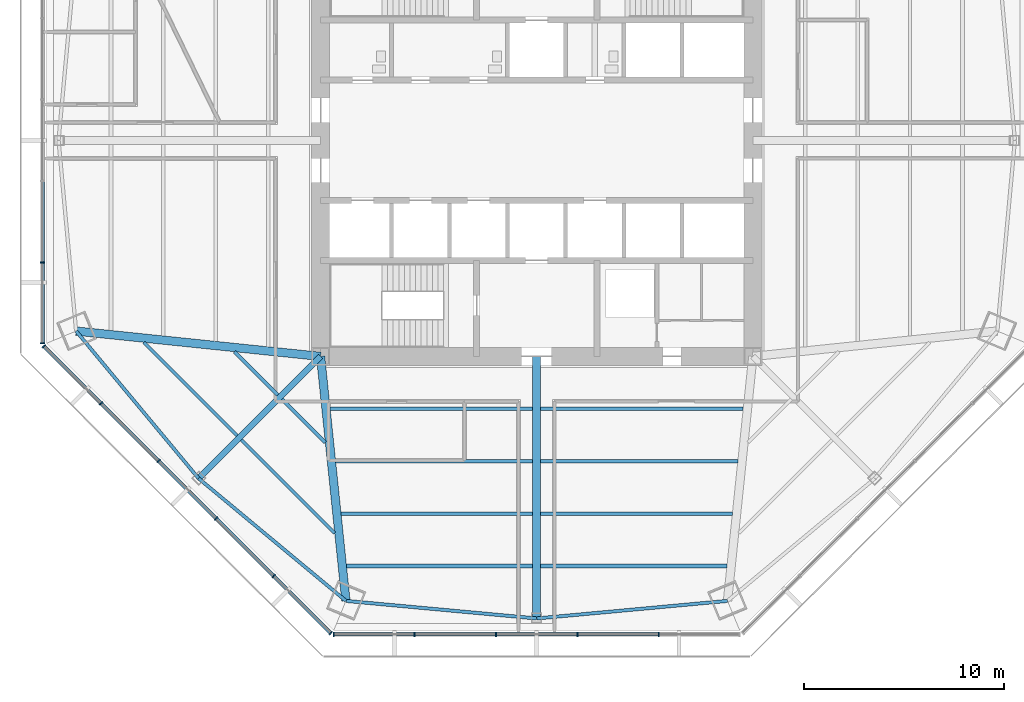
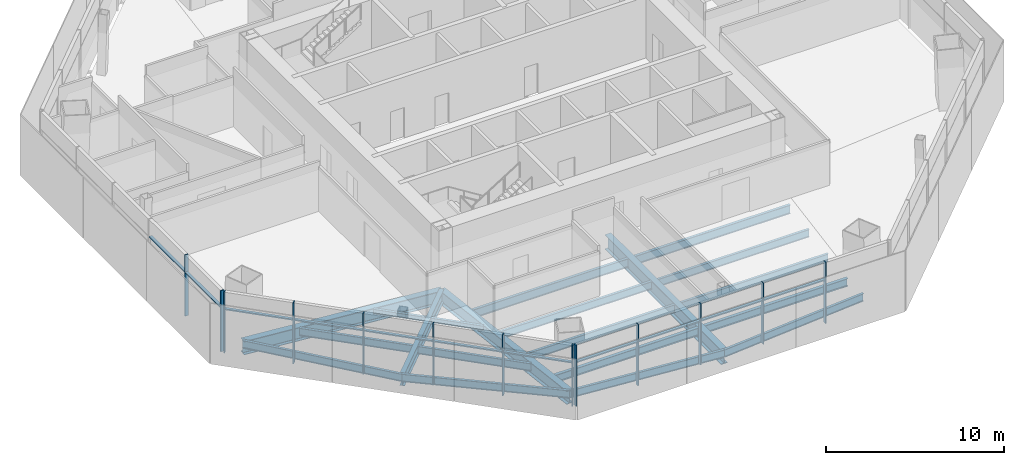
# One storey, part 2 of 14: 24 members, 20 beams, 3 elements without a shape of their own.
"""IFC4 building model written with IfcOpenShell, lengths in metres."""

from ifc_helpers import new_model, si_unit, direction, frame, origin, origin_2d, place, context, subcontext, project, spatial, rectangle, i_section, extrude, source, transform, mapped, material, material_profile, profile_set, type_object, type_shapes, element, aggregate, save


model = new_model("IFC4")

# Units and contexts
model_context = context("Model", 3, precision=1e-05, world=origin(), true_north=direction((0.0, 1.0)))
body_context = subcontext(model_context, "Body", "Model", "MODEL_VIEW")
ifc_project = project(units=[si_unit("LENGTHUNIT", "METRE"), si_unit("AREAUNIT", "SQUARE_METRE"), si_unit("VOLUMEUNIT", "CUBIC_METRE"), si_unit("PLANEANGLEUNIT", "RADIAN"), si_unit("MASSUNIT", "GRAM", prefix="KILO")], contexts=[model_context])

# Site, building, storey
site_placement = place(None, origin())
site = spatial("IfcSite", under=ifc_project, at=site_placement, CompositionType="ELEMENT")
building_placement = place(site_placement, origin())
building = spatial("IfcBuilding", under=site, at=building_placement, Name="Mashrafa Tower", CompositionType="ELEMENT")
storey_placement = place(building_placement, frame((0.0, 0.0, 117.60009765625)))
storey = spatial("IfcBuildingStorey", under=building, at=storey_placement, Name="L26", CompositionType="ELEMENT", Elevation=117.60009765625)

# Beams
ifc_material_1 = material(Name="Steel ASTM A992", Category="steel")
ifc_material_profile_1 = material_profile(ifc_material_1, i_section(OverallWidth=0.164794921875, OverallDepth=0.309814453125, WebThickness=0.005859375, FlangeThickness=0.009765625, FilletRadius=0.007568359375, at=origin_2d()), Name="W12X26")
ifc_profile_set_1 = profile_set([ifc_material_profile_1], Name="Steel ASTM A992")
beam_type_1 = type_object("IfcBeamType", Name="Beam W12X26", PredefinedType="BEAM", material=ifc_profile_set_1)
for number, where, z_axis, x_axis, name in (
    (1, (-12.934814453125, -12.728271484375, -0.320068359375), (-0.707106781187, 0.707106781187, 0.0), (-0.707106781187, -0.707106781187, 0.0), "Floor beam L26 013"),
    (2, (-10.564697265625, -15.098388671875, -0.320068359375), (-0.707106781187, 0.707106781187, 0.0), (-0.707106781187, -0.707106781187, 0.0), "Floor beam L26 016"),
):
    element("IfcBeam", number, at=place(storey_placement, frame(where, z_axis=z_axis, x_axis=x_axis)), inside=storey, type_object=beam_type_1, Name=name, PredefinedType="BEAM", context=body_context, shape_type="SweptSolid", body=[
        extrude(i_section(OverallWidth=0.164794921875, OverallDepth=0.309814453125, WebThickness=0.005859375, FlangeThickness=0.009765625, FilletRadius=0.007568359375, at=origin_2d()), origin(), (0.0, 0.0, 1.0), 3.059814453125),
    ])
ifc_material_2 = material(Name="Steel ASTM A992", Category="steel")
ifc_material_profile_2 = material_profile(ifc_material_2, i_section(OverallWidth=0.1650390625, OverallDepth=0.52587890625, WebThickness=0.0087890625, FlangeThickness=0.011474609375, FilletRadius=0.0126953125, at=origin_2d()), Name="W21X44")
ifc_profile_set_2 = profile_set([ifc_material_profile_2], Name="Steel ASTM A992")
beam_type_2 = type_object("IfcBeamType", Name="Beam W21X44", PredefinedType="BEAM", material=ifc_profile_set_2)
for number, where, z_axis, x_axis, name in (
    (3, (-14.96630859375, -14.759765625, -0.427978515625), (-0.707106781187, 0.707106781187, 0.0), (-0.707106781187, -0.707106781187, 0.0), "Floor beam L26 009"),
    (4, (-10.094482421875, -19.631591796875, -0.427978515625), (-0.707106781187, 0.707106781187, 0.0), (-0.707106781187, -0.707106781187, 0.0), "Floor beam L26 019"),
):
    element("IfcBeam", number, at=place(storey_placement, frame(where, z_axis=z_axis, x_axis=x_axis)), inside=storey, type_object=beam_type_2, Name=name, PredefinedType="BEAM", context=body_context, shape_type="SweptSolid", body=[
        extrude(i_section(OverallWidth=0.1650390625, OverallDepth=0.52587890625, WebThickness=0.0087890625, FlangeThickness=0.011474609375, FilletRadius=0.0126953125, at=origin_2d()), origin(), (0.0, 0.0, 1.0), 6.59765625),
    ])
beam_1_placement = place(storey_placement, frame((-0.20068359375, -18.655517578125, -0.427978515625), z_axis=(-1.0, 0.0, 0.0), x_axis=(0.0, -1.0, 0.0)))
element("IfcBeam", 5, at=beam_1_placement, inside=storey, type_object=beam_type_2, Name="Floor beam L26 022", PredefinedType="BEAM", context=body_context, shape_type="SweptSolid", body=[
    extrude(i_section(OverallWidth=0.1650390625, OverallDepth=0.52587890625, WebThickness=0.0087890625, FlangeThickness=0.011474609375, FilletRadius=0.0126953125, at=origin_2d()), origin(), (0.0, 0.0, 1.0), 9.57373046875),
])
beam_2_placement = place(storey_placement, frame((-0.20068359375, -16.037109375, -0.427978515625), z_axis=(-1.0, 0.0, 0.0), x_axis=(0.0, -1.0, 0.0)))
element("IfcBeam", 6, at=beam_2_placement, inside=storey, type_object=beam_type_2, Name="Floor beam L26 023", PredefinedType="BEAM", context=body_context, shape_type="SweptSolid", body=[
    extrude(i_section(OverallWidth=0.1650390625, OverallDepth=0.52587890625, WebThickness=0.0087890625, FlangeThickness=0.011474609375, FilletRadius=0.0126953125, at=origin_2d()), origin(), (0.0, 0.0, 1.0), 9.84521484375),
])
beam_3_placement = place(storey_placement, frame((9.7744140625, -18.655517578125, -0.427978515625), z_axis=(-1.0, 0.0, 0.0), x_axis=(0.0, -1.0, 0.0)))
element("IfcBeam", 7, at=beam_3_placement, inside=storey, type_object=beam_type_2, Name="Floor beam L26 031", PredefinedType="BEAM", context=body_context, shape_type="SweptSolid", body=[
    extrude(i_section(OverallWidth=0.1650390625, OverallDepth=0.52587890625, WebThickness=0.0087890625, FlangeThickness=0.011474609375, FilletRadius=0.0126953125, at=origin_2d()), origin(), (0.0, 0.0, 1.0), 9.57373046875),
])
beam_4_placement = place(storey_placement, frame((10.0458984375, -16.037109375, -0.427978515625), z_axis=(-1.0, 0.0, 0.0), x_axis=(0.0, -1.0, 0.0)))
element("IfcBeam", 8, at=beam_4_placement, inside=storey, type_object=beam_type_2, Name="Floor beam L26 032", PredefinedType="BEAM", context=body_context, shape_type="SweptSolid", body=[
    extrude(i_section(OverallWidth=0.1650390625, OverallDepth=0.52587890625, WebThickness=0.0087890625, FlangeThickness=0.011474609375, FilletRadius=0.0126953125, at=origin_2d()), origin(), (0.0, 0.0, 1.0), 9.84521484375),
])
for number, where, z_axis, x_axis, name in (
    (9, (-23.014404296875, -9.532958984375, -0.427978515625), (0.639245764608, -0.769002504827, 0.0), (0.769002504827, 0.639245764608, 0.0), "Spandrel beam L26 066"),
    (10, (-16.894775390625, -16.894775390625, -0.427978515625), (0.769002504827, -0.639245764608, 0.0), (0.639245764608, 0.769002504827, 0.0), "Spandrel beam L26 068"),
    (11, (-9.532958984375, -23.014404296875, -0.427978515625), (0.995783790864, -0.091731356973, 0.0), (0.091731356973, 0.995783790864, 0.0), "Spandrel beam L26 070"),
    (12, (0.0, -23.892578125, -0.427978515625), (0.995783790864, 0.091731356973, 0.0), (-0.091731356973, 0.995783790864, 0.0), "Spandrel beam L26 072"),
):
    element("IfcBeam", number, at=place(storey_placement, frame(where, z_axis=z_axis, x_axis=x_axis)), inside=storey, type_object=beam_type_2, Name=name, PredefinedType="BEAM", context=body_context, shape_type="SweptSolid", body=[
        extrude(i_section(OverallWidth=0.1650390625, OverallDepth=0.52587890625, WebThickness=0.0087890625, FlangeThickness=0.011474609375, FilletRadius=0.0126953125, at=origin_2d()), origin(), (0.0, 0.0, 1.0), 9.5732421875),
    ])
ifc_material_3 = material(Name="Steel ASTM A992", Category="steel")
ifc_material_profile_3 = material_profile(ifc_material_3, i_section(OverallWidth=0.209228515625, OverallDepth=0.533447265625, WebThickness=0.01025390625, FlangeThickness=0.015625, FilletRadius=0.012939453125, at=origin_2d()), Name="W21X62")
ifc_profile_set_3 = profile_set([ifc_material_profile_3], Name="Steel ASTM A992")
beam_type_3 = type_object("IfcBeamType", Name="Beam W21X62", PredefinedType="BEAM", material=ifc_profile_set_3)
for number, where, z_axis, x_axis, name in (
    (13, (-0.20068359375, -21.274169921875, -0.431884765625), (-1.0, 0.0, 0.0), (0.0, -1.0, 0.0), "Floor beam L26 021"),
    (14, (9.502685546875, -21.274169921875, -0.431884765625), (-1.0, 0.0, 0.0), (0.0, -1.0, 0.0), "Floor beam L26 029"),
):
    element("IfcBeam", number, at=place(storey_placement, frame(where, z_axis=z_axis, x_axis=x_axis)), inside=storey, type_object=beam_type_3, Name=name, PredefinedType="BEAM", context=body_context, shape_type="SweptSolid", body=[
        extrude(i_section(OverallWidth=0.209228515625, OverallDepth=0.533447265625, WebThickness=0.01025390625, FlangeThickness=0.015625, FilletRadius=0.012939453125, at=origin_2d()), origin(), (0.0, 0.0, 1.0), 9.302001953125),
    ])
ifc_material_4 = material(Name="Steel ASTM A992", Category="steel")
ifc_material_profile_4 = material_profile(ifc_material_4, i_section(OverallWidth=0.177978515625, OverallDepth=0.599365234375, WebThickness=0.010009765625, FlangeThickness=0.012939453125, FilletRadius=0.012939453125, at=origin_2d()), Name="W24X55")
ifc_profile_set_4 = profile_set([ifc_material_profile_4], Name="Steel ASTM A992")
beam_type_4 = type_object("IfcBeamType", Name="Beam W24X55", PredefinedType="BEAM", material=ifc_profile_set_4)
for number, where, z_axis, x_axis, name in (
    (15, (-0.20068359375, -13.41845703125, -0.46484375), (-1.0, 0.0, 0.0), (0.0, -1.0, 0.0), "Floor beam L26 024"),
    (16, (10.317626953125, -13.41845703125, -0.46484375), (-1.0, 0.0, 0.0), (0.0, -1.0, 0.0), "Floor beam L26 034"),
):
    element("IfcBeam", number, at=place(storey_placement, frame(where, z_axis=z_axis, x_axis=x_axis)), inside=storey, type_object=beam_type_4, Name=name, PredefinedType="BEAM", context=body_context, shape_type="SweptSolid", body=[
        extrude(i_section(OverallWidth=0.177978515625, OverallDepth=0.599365234375, WebThickness=0.010009765625, FlangeThickness=0.012939453125, FilletRadius=0.012939453125, at=origin_2d()), origin(), (0.0, 0.0, 1.0), 10.116943359375),
    ])
ifc_material_5 = material(Name="Steel ASTM A992", Category="steel")
ifc_material_profile_5 = material_profile(ifc_material_5, i_section(OverallWidth=0.2919921875, OverallDepth=0.8408203125, WebThickness=0.0146484375, FlangeThickness=0.021728515625, FilletRadius=0.017333984375, at=origin_2d()), Name="W33X130")
ifc_profile_set_5 = profile_set([ifc_material_profile_5], Name="Steel ASTM A992")
beam_type_5 = type_object("IfcBeamType", Name="Beam W33X130", PredefinedType="BEAM", material=ifc_profile_set_5)
beam_5_placement = place(storey_placement, frame((-10.800048828125, -10.800048828125, -0.58544921875), z_axis=(-0.707106781187, -0.707106781187, 0.0), x_axis=(0.707106781187, -0.707106781187, 0.0)))
element("IfcBeam", 17, at=beam_5_placement, inside=storey, type_object=beam_type_5, Name="Radial girder L26 050", PredefinedType="BEAM", context=body_context, shape_type="SweptSolid", body=[
    extrude(i_section(OverallWidth=0.2919921875, OverallDepth=0.8408203125, WebThickness=0.0146484375, FlangeThickness=0.021728515625, FilletRadius=0.017333984375, at=origin_2d()), origin(), (0.0, 0.0, 1.0), 8.619140625),
])
ifc_material_6 = material(Name="Steel ASTM A992", Category="steel")
ifc_material_profile_6 = material_profile(ifc_material_6, i_section(OverallWidth=0.419189453125, OverallDepth=0.927001953125, WebThickness=0.019287109375, FlangeThickness=0.031982421875, FilletRadius=0.020263671875, at=origin_2d()), Name="W36X231")
ifc_profile_set_6 = profile_set([ifc_material_profile_6], Name="Steel ASTM A992")
beam_type_6 = type_object("IfcBeamType", Name="Beam W36X231", PredefinedType="BEAM", material=ifc_profile_set_6)
for number, where, z_axis, x_axis, name in (
    (18, (-10.800048828125, -10.800048828125, -0.628662109375), (-0.994662281901, 0.103184034441, 0.0), (-0.103184034441, -0.994662281901, 0.0), "Radial girder L26 049"),
    (19, (-10.800048828125, -10.800048828125, -0.628662109375), (0.103184034441, -0.994662281901, 0.0), (0.994662281901, 0.103184034441, 0.0), "Radial girder L26 051"),
):
    element("IfcBeam", number, at=place(storey_placement, frame(where, z_axis=z_axis, x_axis=x_axis)), inside=storey, type_object=beam_type_6, Name=name, PredefinedType="BEAM", context=body_context, shape_type="SweptSolid", body=[
        extrude(i_section(OverallWidth=0.419189453125, OverallDepth=0.927001953125, WebThickness=0.019287109375, FlangeThickness=0.031982421875, FilletRadius=0.020263671875, at=origin_2d()), origin(), (0.0, 0.0, 1.0), 12.27978515625),
    ])
ifc_material_7 = material(Name="Steel ASTM A992", Category="steel")
ifc_material_profile_7 = material_profile(ifc_material_7, i_section(OverallWidth=0.4013671875, OverallDepth=1.010986328125, WebThickness=0.023681640625, FlangeThickness=0.0419921875, FilletRadius=0.02001953125, at=origin_2d()), Name="W40X297")
ifc_profile_set_7 = profile_set([ifc_material_profile_7], Name="Steel ASTM A992")
beam_type_7 = type_object("IfcBeamType", Name="Beam W40X297", PredefinedType="BEAM", material=ifc_profile_set_7)
beam_6_placement = place(storey_placement, frame((0.0, -10.800048828125, -0.670654296875), z_axis=(0.0, -1.0, 0.0), x_axis=(1.0, 0.0, 0.0)))
element("IfcBeam", 20, at=beam_6_placement, inside=storey, type_object=beam_type_7, Name="Radial girder L26 056", PredefinedType="BEAM", context=body_context, shape_type="SweptSolid", body=[
    extrude(i_section(OverallWidth=0.4013671875, OverallDepth=1.010986328125, WebThickness=0.023681640625, FlangeThickness=0.0419921875, FilletRadius=0.02001953125, at=origin_2d()), origin(), (0.0, 0.0, 1.0), 13.092529296875),
])

# Curtain wall, members
ifc_material_8 = material(Name="Unitised aluminium curtain wall", Category="aluminium")
curtain_wall_type = type_object("IfcCurtainWallType", Name="Office curtain wall, zone 2 CW-B 225 deep", PredefinedType="NOTDEFINED", material=ifc_material_8)
curtain_wall_1_placement = place(storey_placement, origin())
curtain_wall_1 = element("IfcCurtainWall", 21, at=curtain_wall_1_placement, inside=storey, type_object=curtain_wall_type, Name="Office curtain wall, zone 2 L26 west", PredefinedType="NOTDEFINED")
ifc_material_9 = material(Name="Extruded aluminium mullion", Category="aluminium")
ifc_material_profile_8 = material_profile(ifc_material_9, rectangle(XDim=0.22509765625, YDim=0.06494140625, at=origin_2d()), Name="Mullion 65x225")
ifc_profile_set_8 = profile_set([ifc_material_profile_8], Name="Extruded aluminium mullion")
member_type_1 = type_object("IfcMemberType", Name="Mullion CW-B 65 x 225", PredefinedType="MULLION", material=ifc_profile_set_8)
shared_shape_1 = source(origin(), body_context, "Body", "SweptSolid", [
    extrude(rectangle(XDim=0.22509765625, YDim=0.06494140625, at=origin_2d()), origin(), (0.0, 0.0, 1.0), 4.199951171875),
])
type_shapes(member_type_1, [shared_shape_1])
member_1_placement = place(storey_placement, frame((-24.68798828125, -6.101806640625, 0.0), z_axis=(0.0, 0.0, 1.0), x_axis=(1.0, 0.0, 0.0)))
member_1 = element("IfcMember", 22, at=member_1_placement, type_object=member_type_1, Name="CW-B mullion 5", PredefinedType="MULLION", context=body_context, shape_type="MappedRepresentation", body=[
    mapped(shared_shape_1, transform((0.0, 0.0, 0.0))),
])
member_2_placement = place(storey_placement, frame((-24.68798828125, -10.136962890625, 0.0), z_axis=(0.0, 0.0, 1.0), x_axis=(1.0, 0.0, 0.0)))
member_2 = element("IfcMember", 23, at=member_2_placement, type_object=member_type_1, Name="CW-B mullion 6", PredefinedType="MULLION", context=body_context, shape_type="MappedRepresentation", body=[
    mapped(shared_shape_1, transform((0.0, 0.0, 0.0))),
])

curtain_wall_2_placement = place(storey_placement, origin())
curtain_wall_2 = element("IfcCurtainWall", 24, at=curtain_wall_2_placement, inside=storey, type_object=curtain_wall_type, Name="Office curtain wall, zone 2 L26 south-west", PredefinedType="NOTDEFINED")
member_3_placement = place(storey_placement, frame((-24.625, -10.2890625, 0.0), z_axis=(0.0, 0.0, 1.0), x_axis=(0.707106781187, 0.707106781187, 0.0)))
member_3 = element("IfcMember", 25, at=member_3_placement, type_object=member_type_1, Name="CW-B mullion 1", PredefinedType="MULLION", context=body_context, shape_type="MappedRepresentation", body=[
    mapped(shared_shape_1, transform((0.0, 0.0, 0.0))),
])
member_4_placement = place(storey_placement, frame((-21.771484375, -13.142578125, 0.0), z_axis=(0.0, 0.0, 1.0), x_axis=(0.707106781187, 0.707106781187, 0.0)))
member_4 = element("IfcMember", 26, at=member_4_placement, type_object=member_type_1, Name="CW-B mullion 2", PredefinedType="MULLION", context=body_context, shape_type="MappedRepresentation", body=[
    mapped(shared_shape_1, transform((0.0, 0.0, 0.0))),
])
member_5_placement = place(storey_placement, frame((-18.895263671875, -16.018798828125, 0.0), z_axis=(0.0, 0.0, 1.0), x_axis=(0.707106781187, 0.707106781187, 0.0)))
member_5 = element("IfcMember", 27, at=member_5_placement, type_object=member_type_1, Name="CW-B mullion 3", PredefinedType="MULLION", context=body_context, shape_type="MappedRepresentation", body=[
    mapped(shared_shape_1, transform((0.0, 0.0, 0.0))),
])
member_6_placement = place(storey_placement, frame((-16.018798828125, -18.895263671875, 0.0), z_axis=(0.0, 0.0, 1.0), x_axis=(0.707106781187, 0.707106781187, 0.0)))
member_6 = element("IfcMember", 28, at=member_6_placement, type_object=member_type_1, Name="CW-B mullion 4", PredefinedType="MULLION", context=body_context, shape_type="MappedRepresentation", body=[
    mapped(shared_shape_1, transform((0.0, 0.0, 0.0))),
])
member_7_placement = place(storey_placement, frame((-13.142578125, -21.771484375, 0.0), z_axis=(0.0, 0.0, 1.0), x_axis=(0.707106781187, 0.707106781187, 0.0)))
member_7 = element("IfcMember", 29, at=member_7_placement, type_object=member_type_1, Name="CW-B mullion 5", PredefinedType="MULLION", context=body_context, shape_type="MappedRepresentation", body=[
    mapped(shared_shape_1, transform((0.0, 0.0, 0.0))),
])
member_8_placement = place(storey_placement, frame((-10.2890625, -24.625, 0.0), z_axis=(0.0, 0.0, 1.0), x_axis=(0.707106781187, 0.707106781187, 0.0)))
member_8 = element("IfcMember", 30, at=member_8_placement, type_object=member_type_1, Name="CW-B mullion 6", PredefinedType="MULLION", context=body_context, shape_type="MappedRepresentation", body=[
    mapped(shared_shape_1, transform((0.0, 0.0, 0.0))),
])

curtain_wall_3_placement = place(storey_placement, origin())
curtain_wall_3 = element("IfcCurtainWall", 31, at=curtain_wall_3_placement, inside=storey, type_object=curtain_wall_type, Name="Office curtain wall, zone 2 L26 south", PredefinedType="NOTDEFINED")
member_9_placement = place(storey_placement, frame((-10.136962890625, -24.68798828125, 0.0), z_axis=(0.0, 0.0, 1.0), x_axis=(0.0, 1.0, 0.0)))
member_9 = element("IfcMember", 32, at=member_9_placement, type_object=member_type_1, Name="CW-B mullion 1", PredefinedType="MULLION", context=body_context, shape_type="MappedRepresentation", body=[
    mapped(shared_shape_1, transform((0.0, 0.0, 0.0))),
])
member_10_placement = place(storey_placement, frame((-6.101806640625, -24.68798828125, 0.0), z_axis=(0.0, 0.0, 1.0), x_axis=(0.0, 1.0, 0.0)))
member_10 = element("IfcMember", 33, at=member_10_placement, type_object=member_type_1, Name="CW-B mullion 2", PredefinedType="MULLION", context=body_context, shape_type="MappedRepresentation", body=[
    mapped(shared_shape_1, transform((0.0, 0.0, 0.0))),
])
member_11_placement = place(storey_placement, frame((-2.033935546875, -24.68798828125, 0.0), z_axis=(0.0, 0.0, 1.0), x_axis=(0.0, 1.0, 0.0)))
member_11 = element("IfcMember", 34, at=member_11_placement, type_object=member_type_1, Name="CW-B mullion 3", PredefinedType="MULLION", context=body_context, shape_type="MappedRepresentation", body=[
    mapped(shared_shape_1, transform((0.0, 0.0, 0.0))),
])
member_12_placement = place(storey_placement, frame((2.033935546875, -24.68798828125, 0.0), z_axis=(0.0, 0.0, 1.0), x_axis=(0.0, 1.0, 0.0)))
member_12 = element("IfcMember", 35, at=member_12_placement, type_object=member_type_1, Name="CW-B mullion 4", PredefinedType="MULLION", context=body_context, shape_type="MappedRepresentation", body=[
    mapped(shared_shape_1, transform((0.0, 0.0, 0.0))),
])
member_13_placement = place(storey_placement, frame((6.101806640625, -24.68798828125, 0.0), z_axis=(0.0, 0.0, 1.0), x_axis=(0.0, 1.0, 0.0)))
member_13 = element("IfcMember", 36, at=member_13_placement, type_object=member_type_1, Name="CW-B mullion 5", PredefinedType="MULLION", context=body_context, shape_type="MappedRepresentation", body=[
    mapped(shared_shape_1, transform((0.0, 0.0, 0.0))),
])

# Member
ifc_material_10 = material(Name="Extruded aluminium transom", Category="aluminium")
ifc_material_profile_9 = material_profile(ifc_material_10, rectangle(XDim=0.179931640625, YDim=0.080078125, at=origin_2d()), Name="Transom 80x180")
ifc_profile_set_9 = profile_set([ifc_material_profile_9], Name="Extruded aluminium transom")
member_type_2 = type_object("IfcMemberType", Name="Transom CW-B 80 x 180", PredefinedType="MULLION", material=ifc_profile_set_9)
shared_shape_2 = source(origin(), body_context, "Body", "SweptSolid", [
    extrude(rectangle(XDim=0.179931640625, YDim=0.080078125, at=origin_2d()), origin(), (0.0, 0.0, 1.0), 3.97021484375),
])
member_14_placement = place(storey_placement, frame((-24.68798828125, -6.13427734375, 3.0), z_axis=(0.0, -1.0, 0.0), x_axis=(1.0, 0.0, 0.0)))
member_14 = element("IfcMember", 37, at=member_14_placement, type_object=member_type_2, Name="CW-B transom 5", PredefinedType="MULLION", context=body_context, shape_type="MappedRepresentation", body=[
    mapped(shared_shape_2, transform((0.0, 0.0, 0.0))),
])

member_15_placement = place(storey_placement, frame((-24.60205078125, -10.31201171875, 3.0), z_axis=(0.707106781187, -0.707106781187, 0.0), x_axis=(0.707106781187, 0.707106781187, 0.0)))
member_15 = element("IfcMember", 38, at=member_15_placement, type_object=member_type_2, Name="CW-B transom 1", PredefinedType="MULLION", context=body_context, shape_type="MappedRepresentation", body=[
    mapped(shared_shape_2, transform((0.0, 0.0, 0.0))),
])

member_16_placement = place(storey_placement, frame((-13.119384765625, -21.794677734375, 3.0), z_axis=(0.707106781187, -0.707106781187, 0.0), x_axis=(0.707106781187, 0.707106781187, 0.0)))
member_16 = element("IfcMember", 39, at=member_16_placement, type_object=member_type_2, Name="CW-B transom 5", PredefinedType="MULLION", context=body_context, shape_type="MappedRepresentation", body=[
    mapped(shared_shape_2, transform((0.0, 0.0, 0.0))),
])

member_17_placement = place(storey_placement, frame((-10.1044921875, -24.68798828125, 3.0), z_axis=(1.0, 0.0, 0.0), x_axis=(0.0, 1.0, 0.0)))
member_17 = element("IfcMember", 40, at=member_17_placement, type_object=member_type_2, Name="CW-B transom 1", PredefinedType="MULLION", context=body_context, shape_type="MappedRepresentation", body=[
    mapped(shared_shape_2, transform((0.0, 0.0, 0.0))),
])

shared_shape_3 = source(origin(), body_context, "Body", "SweptSolid", [
    extrude(rectangle(XDim=0.179931640625, YDim=0.080078125, at=origin_2d()), origin(), (0.0, 0.0, 1.0), 4.002685546875),
])
member_18_placement = place(storey_placement, frame((-24.68798828125, -2.06640625, 3.0), z_axis=(0.0, -1.0, 0.0), x_axis=(1.0, 0.0, 0.0)))
member_18 = element("IfcMember", 41, at=member_18_placement, type_object=member_type_2, Name="CW-B transom 4", PredefinedType="MULLION", context=body_context, shape_type="MappedRepresentation", body=[
    mapped(shared_shape_3, transform((0.0, 0.0, 0.0))),
])

aggregate(curtain_wall_1, [member_1, member_2, member_18, member_14])

member_19_placement = place(storey_placement, frame((-21.74853515625, -13.16552734375, 3.0), z_axis=(0.707106781187, -0.707106781187, 0.0), x_axis=(0.707106781187, 0.707106781187, 0.0)))
member_19 = element("IfcMember", 42, at=member_19_placement, type_object=member_type_2, Name="CW-B transom 2", PredefinedType="MULLION", context=body_context, shape_type="MappedRepresentation", body=[
    mapped(shared_shape_3, transform((0.0, 0.0, 0.0))),
])

member_20_placement = place(storey_placement, frame((-15.995849609375, -18.918212890625, 3.0), z_axis=(0.707106781187, -0.707106781187, 0.0), x_axis=(0.707106781187, 0.707106781187, 0.0)))
member_20 = element("IfcMember", 43, at=member_20_placement, type_object=member_type_2, Name="CW-B transom 4", PredefinedType="MULLION", context=body_context, shape_type="MappedRepresentation", body=[
    mapped(shared_shape_3, transform((0.0, 0.0, 0.0))),
])

member_21_placement = place(storey_placement, frame((-6.069091796875, -24.68798828125, 3.0), z_axis=(1.0, 0.0, 0.0), x_axis=(0.0, 1.0, 0.0)))
member_21 = element("IfcMember", 44, at=member_21_placement, type_object=member_type_2, Name="CW-B transom 2", PredefinedType="MULLION", context=body_context, shape_type="MappedRepresentation", body=[
    mapped(shared_shape_3, transform((0.0, 0.0, 0.0))),
])

member_22_placement = place(storey_placement, frame((2.06640625, -24.68798828125, 3.0), z_axis=(1.0, 0.0, 0.0), x_axis=(0.0, 1.0, 0.0)))
member_22 = element("IfcMember", 45, at=member_22_placement, type_object=member_type_2, Name="CW-B transom 4", PredefinedType="MULLION", context=body_context, shape_type="MappedRepresentation", body=[
    mapped(shared_shape_3, transform((0.0, 0.0, 0.0))),
])

shared_shape_4 = source(origin(), body_context, "Body", "SweptSolid", [
    extrude(rectangle(XDim=0.179931640625, YDim=0.080078125, at=origin_2d()), origin(), (0.0, 0.0, 1.0), 4.0029296875),
])
type_shapes(member_type_2, [shared_shape_2, shared_shape_3, shared_shape_4])
member_23_placement = place(storey_placement, frame((-18.872314453125, -16.041748046875, 3.0), z_axis=(0.707106781187, -0.707106781187, 0.0), x_axis=(0.707106781187, 0.707106781187, 0.0)))
member_23 = element("IfcMember", 46, at=member_23_placement, type_object=member_type_2, Name="CW-B transom 3", PredefinedType="MULLION", context=body_context, shape_type="MappedRepresentation", body=[
    mapped(shared_shape_4, transform((0.0, 0.0, 0.0))),
])

aggregate(curtain_wall_2, [member_3, member_4, member_5, member_6, member_7, member_8, member_15, member_19, member_23, member_20, member_16])

member_24_placement = place(storey_placement, frame((-2.00146484375, -24.68798828125, 3.0), z_axis=(1.0, 0.0, 0.0), x_axis=(0.0, 1.0, 0.0)))
member_24 = element("IfcMember", 47, at=member_24_placement, type_object=member_type_2, Name="CW-B transom 3", PredefinedType="MULLION", context=body_context, shape_type="MappedRepresentation", body=[
    mapped(shared_shape_4, transform((0.0, 0.0, 0.0))),
])

aggregate(curtain_wall_3, [member_9, member_10, member_11, member_12, member_13, member_17, member_21, member_24, member_22])

save(model, "model.ifc")
